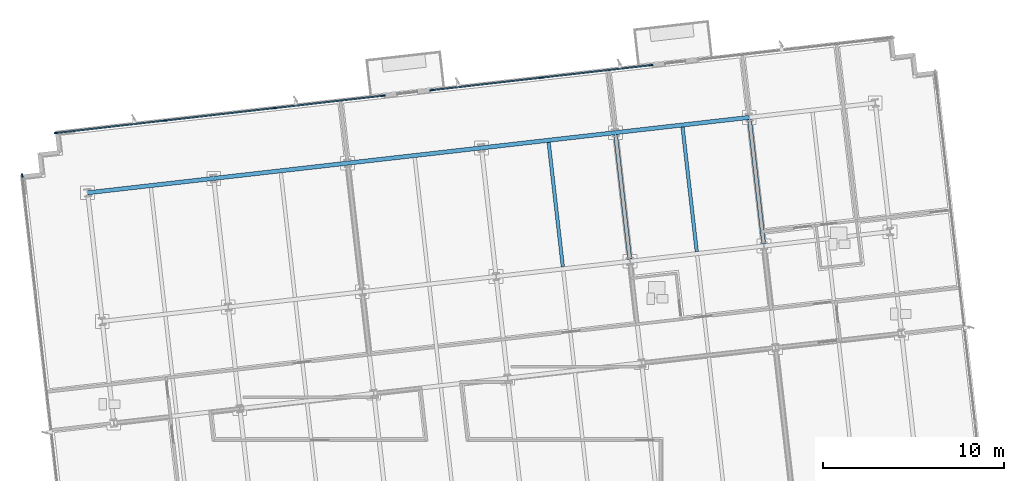
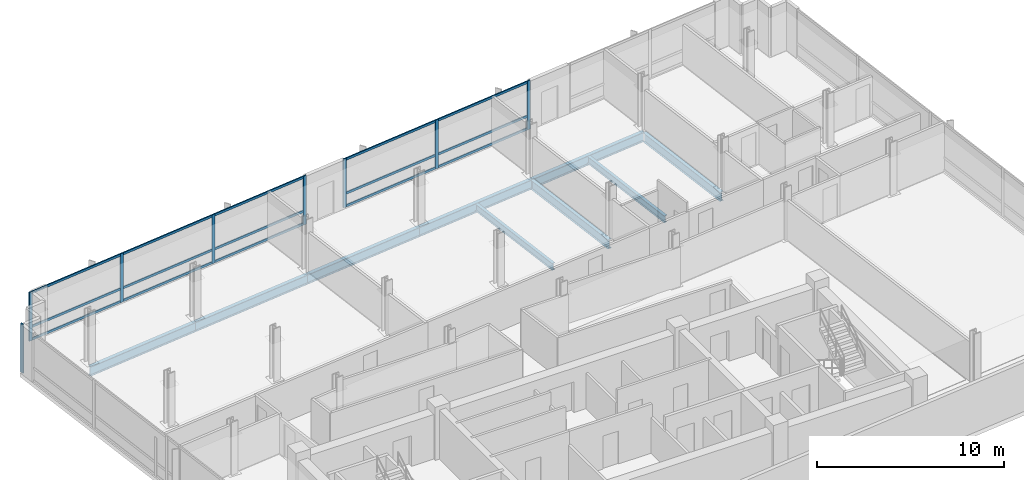
# One storey, part 5 of 16: 23 members, 9 beams, 3 elements without a shape of their own.
"""IFC4 building model written with IfcOpenShell, lengths in metres."""

from ifc_helpers import new_model, si_unit, direction, frame, origin, origin_2d, place, context, subcontext, project, spatial, rectangle, i_section, extrude, material, material_profile, profile_set, type_object, element, aggregate, save


model = new_model("IFC4")

# Units and contexts
model_context = context("Model", 3, precision=1e-05, world=origin(), true_north=direction((0.0, 1.0)))
body_context = subcontext(model_context, "Body", "Model", "MODEL_VIEW")
ifc_project = project(units=[si_unit("LENGTHUNIT", "METRE"), si_unit("AREAUNIT", "SQUARE_METRE"), si_unit("VOLUMEUNIT", "CUBIC_METRE"), si_unit("PLANEANGLEUNIT", "RADIAN"), si_unit("MASSUNIT", "GRAM", prefix="KILO")], contexts=[model_context])

# Site, building, storey
site_placement = place(None, origin())
site = spatial("IfcSite", under=ifc_project, at=site_placement, CompositionType="ELEMENT")
building_placement = place(site_placement, origin())
building = spatial("IfcBuilding", under=site, at=building_placement, Name="Solmavex Isthmus Hotel", CompositionType="ELEMENT")
storey_placement = place(building_placement, frame((0.0, 0.0, 233.10009765625)))
storey = spatial("IfcBuildingStorey", under=building, at=storey_placement, Name="L63", CompositionType="ELEMENT", Elevation=233.10009765625)

# Beams
ifc_material_1 = material(Name="Steel ASTM A992 Grade 50", Category="steel")
ifc_material_profile_1 = material_profile(ifc_material_1, i_section(OverallWidth=0.1904296875, OverallDepth=0.456787109375, WebThickness=0.009033203125, FlangeThickness=0.014404296875, FilletRadius=0.0126953125, at=origin_2d()), Name="W18X50")
ifc_profile_set_1 = profile_set([ifc_material_profile_1], Name="Steel ASTM A992 Grade 50")
beam_type_1 = type_object("IfcBeamType", Name="BM-BJ-W18X50", PredefinedType="JOIST", material=ifc_profile_set_1)
for number, where, z_axis, x_axis, name in (
    (1, (7.009033203125, 10.1328125, -0.488525390625), (-0.113202453846, 0.993571942258, 0.0), (-0.993571942258, -0.113202453846, 0.0), "Secondary Floor Joist L63-J14"),
    (2, (14.4072265625, 10.975830078125, -0.488525390625), (-0.113202453846, 0.993571942258, 0.0), (-0.993571942258, -0.113202453846, 0.0), "Secondary Floor Joist L63-J18"),
):
    element("IfcBeam", number, at=place(storey_placement, frame(where, z_axis=z_axis, x_axis=x_axis)), inside=storey, type_object=beam_type_1, Name=name, PredefinedType="JOIST", context=body_context, shape_type="SweptSolid", body=[
        extrude(i_section(OverallWidth=0.1904296875, OverallDepth=0.456787109375, WebThickness=0.009033203125, FlangeThickness=0.014404296875, FilletRadius=0.0126953125, at=origin_2d()), origin(), (0.0, 0.0, 1.0), 6.9228515625),
    ])
ifc_material_profile_2 = material_profile(ifc_material_1, i_section(OverallWidth=0.227783203125, OverallDepth=0.602783203125, WebThickness=0.010498046875, FlangeThickness=0.014892578125, FilletRadius=0.01513671875, at=origin_2d()), Name="W24X68")
ifc_profile_set_2 = profile_set([ifc_material_profile_2], Name="Steel ASTM A992 Grade 50")
beam_type_2 = type_object("IfcBeamType", Name="BM-BM-W24X68", PredefinedType="BEAM", material=ifc_profile_set_2)
for number, where, z_axis, x_axis, name in (
    (3, (10.708251953125, 10.55419921875, -0.5615234375), (-0.113202453846, 0.993571942258, 0.0), (-0.993571942258, -0.113202453846, 0.0), "Floor Beam L63-VG39"),
    (4, (18.106201171875, 11.397216796875, -0.5615234375), (-0.113202453846, 0.993571942258, 0.0), (-0.993571942258, -0.113202453846, 0.0), "Floor Beam L63-VG42"),
):
    element("IfcBeam", number, at=place(storey_placement, frame(where, z_axis=z_axis, x_axis=x_axis)), inside=storey, type_object=beam_type_2, Name=name, PredefinedType="BEAM", context=body_context, shape_type="SweptSolid", body=[
        extrude(i_section(OverallWidth=0.227783203125, OverallDepth=0.602783203125, WebThickness=0.010498046875, FlangeThickness=0.014892578125, FilletRadius=0.01513671875, at=origin_2d()), origin(), (0.0, 0.0, 1.0), 6.9228515625),
    ])
ifc_material_profile_3 = material_profile(ifc_material_1, i_section(OverallWidth=0.230224609375, OverallDepth=0.617431640625, WebThickness=0.01318359375, FlangeThickness=0.022216796875, FilletRadius=0.01513671875, at=origin_2d()), Name="W24X94")
ifc_profile_set_3 = profile_set([ifc_material_profile_3], Name="Steel ASTM A992 Grade 50")
beam_type_3 = type_object("IfcBeamType", Name="BM-SP-W24X94", PredefinedType="SPANDREL", material=ifc_profile_set_3)
beam_1_placement = place(storey_placement, frame((-19.245849609375, 14.22509765625, -0.56884765625), z_axis=(0.99357359356, 0.113187959519, 0.0), x_axis=(-0.113187959519, 0.99357359356, 0.0)))
element("IfcBeam", 5, at=beam_1_placement, inside=storey, type_object=beam_type_3, Name="Floor Girder L63-UG18", PredefinedType="SPANDREL", context=body_context, shape_type="SweptSolid", body=[
    extrude(i_section(OverallWidth=0.230224609375, OverallDepth=0.617431640625, WebThickness=0.01318359375, FlangeThickness=0.022216796875, FilletRadius=0.01513671875, at=origin_2d()), origin(), (0.0, 0.0, 1.0), 7.0078125),
])
beam_2_placement = place(storey_placement, frame((-12.282958984375, 15.018310546875, -0.56884765625), z_axis=(0.9935703463, 0.113216460607, 0.0), x_axis=(-0.113216460607, 0.9935703463, 0.0)))
element("IfcBeam", 6, at=beam_2_placement, inside=storey, type_object=beam_type_3, Name="Floor Girder L63-UG19", PredefinedType="SPANDREL", context=body_context, shape_type="SweptSolid", body=[
    extrude(i_section(OverallWidth=0.230224609375, OverallDepth=0.617431640625, WebThickness=0.01318359375, FlangeThickness=0.022216796875, FilletRadius=0.01513671875, at=origin_2d()), origin(), (0.0, 0.0, 1.0), 7.446044921875),
])
beam_3_placement = place(storey_placement, frame((-4.884765625, 15.861328125, -0.56884765625), z_axis=(0.993573613989, 0.113187780196, 0.0), x_axis=(-0.113187780196, 0.993573613989, 0.0)))
element("IfcBeam", 7, at=beam_3_placement, inside=storey, type_object=beam_type_3, Name="Floor Girder L63-UG20", PredefinedType="SPANDREL", context=body_context, shape_type="SweptSolid", body=[
    extrude(i_section(OverallWidth=0.230224609375, OverallDepth=0.617431640625, WebThickness=0.01318359375, FlangeThickness=0.022216796875, FilletRadius=0.01513671875, at=origin_2d()), origin(), (0.0, 0.0, 1.0), 7.44580078125),
])
for number, where, z_axis, x_axis, name in (
    (8, (2.51318359375, 16.7041015625, -0.56884765625), (0.9935703463, 0.113216460607, 0.0), (-0.113216460607, 0.9935703463, 0.0), "Floor Girder L63-UG21"),
    (9, (9.911376953125, 17.547119140625, -0.56884765625), (0.9935703463, 0.113216460607, 0.0), (-0.113216460607, 0.9935703463, 0.0), "Floor Girder L63-UG22"),
):
    element("IfcBeam", number, at=place(storey_placement, frame(where, z_axis=z_axis, x_axis=x_axis)), inside=storey, type_object=beam_type_3, Name=name, PredefinedType="SPANDREL", context=body_context, shape_type="SweptSolid", body=[
        extrude(i_section(OverallWidth=0.230224609375, OverallDepth=0.617431640625, WebThickness=0.01318359375, FlangeThickness=0.022216796875, FilletRadius=0.01513671875, at=origin_2d()), origin(), (0.0, 0.0, 1.0), 7.446044921875),
    ])

# Curtain wall, members
ifc_material_2 = material(Name="Aluminium alloy 6063-T6", Category="aluminium")
curtain_wall_type = type_object("IfcCurtainWallType", Name="CW-SYS-04", PredefinedType="NOTDEFINED", material=ifc_material_2)
curtain_wall_1_placement = place(storey_placement, origin())
curtain_wall_1 = element("IfcCurtainWall", 10, at=curtain_wall_1_placement, inside=storey, type_object=curtain_wall_type, Name="Stick Curtain Wall CWL-L63-N1", PredefinedType="NOTDEFINED")
ifc_material_profile_4 = material_profile(ifc_material_2, rectangle(XDim=0.074951171875, YDim=0.199951171875, at=origin_2d()), Name="CWM-75X200")
ifc_profile_set_4 = profile_set([ifc_material_profile_4], Name="Aluminium alloy 6063-T6")
member_type_1 = type_object("IfcMemberType", Name="CW-SYS-04-MUL", PredefinedType="MULLION", material=ifc_profile_set_4)
member_1_placement = place(storey_placement, frame((-20.99365234375, 17.528564453125, 0.0), z_axis=(0.0, 0.0, 1.0), x_axis=(-0.113202953513, 0.993571885329, 0.0)))
member_1 = element("IfcMember", 11, at=member_1_placement, type_object=member_type_1, Name="CW-04 mullion 1", PredefinedType="MULLION", context=body_context, shape_type="SweptSolid", body=[
    extrude(rectangle(XDim=0.074951171875, YDim=0.199951171875, at=origin_2d()), origin(), (0.0, 0.0, 1.0), 3.18994140625),
])
member_2_placement = place(storey_placement, frame((-14.977783203125, 18.2138671875, 0.0), z_axis=(0.0, 0.0, 1.0), x_axis=(-0.113202953513, 0.993571885329, 0.0)))
member_2 = element("IfcMember", 12, at=member_2_placement, type_object=member_type_1, Name="CW-04 mullion 2", PredefinedType="MULLION", context=body_context, shape_type="SweptSolid", body=[
    extrude(rectangle(XDim=0.074951171875, YDim=0.199951171875, at=origin_2d()), origin(), (0.0, 0.0, 1.0), 3.18994140625),
])
member_3_placement = place(storey_placement, frame((-8.924560546875, 18.903564453125, 0.0), z_axis=(0.0, 0.0, 1.0), x_axis=(-0.113202953513, 0.993571885329, 0.0)))
member_3 = element("IfcMember", 13, at=member_3_placement, type_object=member_type_1, Name="CW-04 mullion 3", PredefinedType="MULLION", context=body_context, shape_type="SweptSolid", body=[
    extrude(rectangle(XDim=0.074951171875, YDim=0.199951171875, at=origin_2d()), origin(), (0.0, 0.0, 1.0), 3.18994140625),
])
member_4_placement = place(storey_placement, frame((-2.90869140625, 19.5888671875, 0.0), z_axis=(0.0, 0.0, 1.0), x_axis=(-0.113202953513, 0.993571885329, 0.0)))
member_4 = element("IfcMember", 14, at=member_4_placement, type_object=member_type_1, Name="CW-04 mullion 4", PredefinedType="MULLION", context=body_context, shape_type="SweptSolid", body=[
    extrude(rectangle(XDim=0.074951171875, YDim=0.199951171875, at=origin_2d()), origin(), (0.0, 0.0, 1.0), 3.18994140625),
])

curtain_wall_2_placement = place(storey_placement, origin())
curtain_wall_2 = element("IfcCurtainWall", 15, at=curtain_wall_2_placement, inside=storey, type_object=curtain_wall_type, Name="Stick Curtain Wall CWL-L63-N2", PredefinedType="NOTDEFINED")
member_5_placement = place(storey_placement, frame((-0.250732421875, 19.891845703125, 0.0), z_axis=(0.0, 0.0, 1.0), x_axis=(-0.113202856801, 0.993571896348, 0.0)))
member_5 = element("IfcMember", 16, at=member_5_placement, type_object=member_type_1, Name="CW-04 mullion 1", PredefinedType="MULLION", context=body_context, shape_type="SweptSolid", body=[
    extrude(rectangle(XDim=0.074951171875, YDim=0.199951171875, at=origin_2d()), origin(), (0.0, 0.0, 1.0), 3.18994140625),
])
member_6_placement = place(storey_placement, frame((5.818359375, 20.583251953125, 0.0), z_axis=(0.0, 0.0, 1.0), x_axis=(-0.113202856801, 0.993571896348, 0.0)))
member_6 = element("IfcMember", 17, at=member_6_placement, type_object=member_type_1, Name="CW-04 mullion 2", PredefinedType="MULLION", context=body_context, shape_type="SweptSolid", body=[
    extrude(rectangle(XDim=0.074951171875, YDim=0.199951171875, at=origin_2d()), origin(), (0.0, 0.0, 1.0), 3.18994140625),
])
member_7_placement = place(storey_placement, frame((11.8876953125, 21.27490234375, 0.0), z_axis=(0.0, 0.0, 1.0), x_axis=(-0.113202856801, 0.993571896348, 0.0)))
member_7 = element("IfcMember", 18, at=member_7_placement, type_object=member_type_1, Name="CW-04 mullion 3", PredefinedType="MULLION", context=body_context, shape_type="SweptSolid", body=[
    extrude(rectangle(XDim=0.074951171875, YDim=0.199951171875, at=origin_2d()), origin(), (0.0, 0.0, 1.0), 3.18994140625),
])

# Curtain wall, member
curtain_wall_3_placement = place(storey_placement, origin())
curtain_wall_3 = element("IfcCurtainWall", 19, at=curtain_wall_3_placement, inside=storey, type_object=curtain_wall_type, Name="Stick Curtain Wall CWL-L63-W1", PredefinedType="NOTDEFINED")
member_8_placement = place(storey_placement, frame((-22.85791015625, 15.184814453125, 0.0), z_axis=(0.0, 0.0, 1.0), x_axis=(-0.993571836648, -0.11320338078, 0.0)))
member_8 = element("IfcMember", 20, at=member_8_placement, type_object=member_type_1, Name="CW-04 mullion 6", PredefinedType="MULLION", context=body_context, shape_type="SweptSolid", body=[
    extrude(rectangle(XDim=0.074951171875, YDim=0.199951171875, at=origin_2d()), origin(), (0.0, 0.0, 1.0), 3.18994140625),
])
aggregate(curtain_wall_3, [member_8])

# Member
ifc_material_profile_5 = material_profile(ifc_material_2, rectangle(XDim=0.074951171875, YDim=0.14990234375, at=origin_2d()), Name="CWT-75X150")
ifc_profile_set_5 = profile_set([ifc_material_profile_5], Name="Aluminium alloy 6063-T6")
member_type_2 = type_object("IfcMemberType", Name="CW-SYS-04-TRN", PredefinedType="USERDEFINED", material=ifc_profile_set_5)
member_9_placement = place(storey_placement, frame((-20.956298828125, 17.53271484375, 0.074951171875), z_axis=(0.993570647741, 0.113213815179, 0.0), x_axis=(-0.113213815179, 0.993570647741, 0.0)))
member_9 = element("IfcMember", 21, at=member_9_placement, type_object=member_type_2, Name="CW-04 transom 1.1", ObjectType="TRANSOM", PredefinedType="USERDEFINED", context=body_context, shape_type="SweptSolid", body=[
    extrude(rectangle(XDim=0.074951171875, YDim=0.14990234375, at=origin_2d()), origin(), (0.0, 0.0, 1.0), 5.979736328125),
])

member_10_placement = place(storey_placement, frame((-20.956298828125, 17.53271484375, 0.89990234375), z_axis=(0.993570647741, 0.113213815179, 0.0), x_axis=(-0.113213815179, 0.993570647741, 0.0)))
member_10 = element("IfcMember", 22, at=member_10_placement, type_object=member_type_2, Name="CW-04 transom 1.2", ObjectType="TRANSOM", PredefinedType="USERDEFINED", context=body_context, shape_type="SweptSolid", body=[
    extrude(rectangle(XDim=0.074951171875, YDim=0.14990234375, at=origin_2d()), origin(), (0.0, 0.0, 1.0), 5.979736328125),
])

member_11_placement = place(storey_placement, frame((-20.956298828125, 17.53271484375, 3.114990234375), z_axis=(0.993570647741, 0.113213815179, 0.0), x_axis=(-0.113213815179, 0.993570647741, 0.0)))
member_11 = element("IfcMember", 23, at=member_11_placement, type_object=member_type_2, Name="CW-04 transom 1.3", ObjectType="TRANSOM", PredefinedType="USERDEFINED", context=body_context, shape_type="SweptSolid", body=[
    extrude(rectangle(XDim=0.074951171875, YDim=0.14990234375, at=origin_2d()), origin(), (0.0, 0.0, 1.0), 5.979736328125),
])

member_12_placement = place(storey_placement, frame((-14.9404296875, 18.218017578125, 0.074951171875), z_axis=(0.993567543212, 0.113241057379, 0.0), x_axis=(-0.113241057379, 0.993567543212, 0.0)))
member_12 = element("IfcMember", 24, at=member_12_placement, type_object=member_type_2, Name="CW-04 transom 2.1", ObjectType="TRANSOM", PredefinedType="USERDEFINED", context=body_context, shape_type="SweptSolid", body=[
    extrude(rectangle(XDim=0.074951171875, YDim=0.14990234375, at=origin_2d()), origin(), (0.0, 0.0, 1.0), 6.017333984375),
])

member_13_placement = place(storey_placement, frame((-14.9404296875, 18.218017578125, 0.89990234375), z_axis=(0.993567543212, 0.113241057379, 0.0), x_axis=(-0.113241057379, 0.993567543212, 0.0)))
member_13 = element("IfcMember", 25, at=member_13_placement, type_object=member_type_2, Name="CW-04 transom 2.2", ObjectType="TRANSOM", PredefinedType="USERDEFINED", context=body_context, shape_type="SweptSolid", body=[
    extrude(rectangle(XDim=0.074951171875, YDim=0.14990234375, at=origin_2d()), origin(), (0.0, 0.0, 1.0), 6.017333984375),
])

member_14_placement = place(storey_placement, frame((-14.9404296875, 18.218017578125, 3.114990234375), z_axis=(0.993567543212, 0.113241057379, 0.0), x_axis=(-0.113241057379, 0.993567543212, 0.0)))
member_14 = element("IfcMember", 26, at=member_14_placement, type_object=member_type_2, Name="CW-04 transom 2.3", ObjectType="TRANSOM", PredefinedType="USERDEFINED", context=body_context, shape_type="SweptSolid", body=[
    extrude(rectangle(XDim=0.074951171875, YDim=0.14990234375, at=origin_2d()), origin(), (0.0, 0.0, 1.0), 6.017333984375),
])

member_15_placement = place(storey_placement, frame((-8.88720703125, 18.90771484375, 0.074951171875), z_axis=(0.993570647741, 0.113213815179, 0.0), x_axis=(-0.113213815179, 0.993570647741, 0.0)))
member_15 = element("IfcMember", 27, at=member_15_placement, type_object=member_type_2, Name="CW-04 transom 3.1", ObjectType="TRANSOM", PredefinedType="USERDEFINED", context=body_context, shape_type="SweptSolid", body=[
    extrude(rectangle(XDim=0.074951171875, YDim=0.14990234375, at=origin_2d()), origin(), (0.0, 0.0, 1.0), 5.979736328125),
])

member_16_placement = place(storey_placement, frame((-8.88720703125, 18.90771484375, 0.89990234375), z_axis=(0.993570647741, 0.113213815179, 0.0), x_axis=(-0.113213815179, 0.993570647741, 0.0)))
member_16 = element("IfcMember", 28, at=member_16_placement, type_object=member_type_2, Name="CW-04 transom 3.2", ObjectType="TRANSOM", PredefinedType="USERDEFINED", context=body_context, shape_type="SweptSolid", body=[
    extrude(rectangle(XDim=0.074951171875, YDim=0.14990234375, at=origin_2d()), origin(), (0.0, 0.0, 1.0), 5.979736328125),
])

member_17_placement = place(storey_placement, frame((-8.88720703125, 18.90771484375, 3.114990234375), z_axis=(0.993570647741, 0.113213815179, 0.0), x_axis=(-0.113213815179, 0.993570647741, 0.0)))
member_17 = element("IfcMember", 29, at=member_17_placement, type_object=member_type_2, Name="CW-04 transom 3.3", ObjectType="TRANSOM", PredefinedType="USERDEFINED", context=body_context, shape_type="SweptSolid", body=[
    extrude(rectangle(XDim=0.074951171875, YDim=0.14990234375, at=origin_2d()), origin(), (0.0, 0.0, 1.0), 5.979736328125),
])

aggregate(curtain_wall_1, [member_1, member_2, member_3, member_4, member_9, member_10, member_11, member_12, member_13, member_14, member_15, member_16, member_17])

member_18_placement = place(storey_placement, frame((-0.213623046875, 19.89599609375, 0.074951171875), z_axis=(0.993570439577, 0.113215642025, 0.0), x_axis=(-0.113215642025, 0.993570439577, 0.0)))
member_18 = element("IfcMember", 30, at=member_18_placement, type_object=member_type_2, Name="CW-04 transom 1.1", ObjectType="TRANSOM", PredefinedType="USERDEFINED", context=body_context, shape_type="SweptSolid", body=[
    extrude(rectangle(XDim=0.074951171875, YDim=0.14990234375, at=origin_2d()), origin(), (0.0, 0.0, 1.0), 6.03369140625),
])

member_19_placement = place(storey_placement, frame((-0.213623046875, 19.89599609375, 0.89990234375), z_axis=(0.993570439577, 0.113215642025, 0.0), x_axis=(-0.113215642025, 0.993570439577, 0.0)))
member_19 = element("IfcMember", 31, at=member_19_placement, type_object=member_type_2, Name="CW-04 transom 1.2", ObjectType="TRANSOM", PredefinedType="USERDEFINED", context=body_context, shape_type="SweptSolid", body=[
    extrude(rectangle(XDim=0.074951171875, YDim=0.14990234375, at=origin_2d()), origin(), (0.0, 0.0, 1.0), 6.03369140625),
])

member_20_placement = place(storey_placement, frame((-0.213623046875, 19.89599609375, 3.114990234375), z_axis=(0.993570439577, 0.113215642025, 0.0), x_axis=(-0.113215642025, 0.993570439577, 0.0)))
member_20 = element("IfcMember", 32, at=member_20_placement, type_object=member_type_2, Name="CW-04 transom 1.3", ObjectType="TRANSOM", PredefinedType="USERDEFINED", context=body_context, shape_type="SweptSolid", body=[
    extrude(rectangle(XDim=0.074951171875, YDim=0.14990234375, at=origin_2d()), origin(), (0.0, 0.0, 1.0), 6.03369140625),
])

member_21_placement = place(storey_placement, frame((5.855712890625, 20.587646484375, 0.074951171875), z_axis=(0.993574472077, 0.113180247552, 0.0), x_axis=(-0.113180247552, 0.993574472077, 0.0)))
member_21 = element("IfcMember", 33, at=member_21_placement, type_object=member_type_2, Name="CW-04 transom 2.1", ObjectType="TRANSOM", PredefinedType="USERDEFINED", context=body_context, shape_type="SweptSolid", body=[
    extrude(rectangle(XDim=0.074951171875, YDim=0.14990234375, at=origin_2d()), origin(), (0.0, 0.0, 1.0), 6.033447265625),
])

member_22_placement = place(storey_placement, frame((5.855712890625, 20.587646484375, 0.89990234375), z_axis=(0.993574472077, 0.113180247552, 0.0), x_axis=(-0.113180247552, 0.993574472077, 0.0)))
member_22 = element("IfcMember", 34, at=member_22_placement, type_object=member_type_2, Name="CW-04 transom 2.2", ObjectType="TRANSOM", PredefinedType="USERDEFINED", context=body_context, shape_type="SweptSolid", body=[
    extrude(rectangle(XDim=0.074951171875, YDim=0.14990234375, at=origin_2d()), origin(), (0.0, 0.0, 1.0), 6.033447265625),
])

member_23_placement = place(storey_placement, frame((5.855712890625, 20.587646484375, 3.114990234375), z_axis=(0.993574472077, 0.113180247552, 0.0), x_axis=(-0.113180247552, 0.993574472077, 0.0)))
member_23 = element("IfcMember", 35, at=member_23_placement, type_object=member_type_2, Name="CW-04 transom 2.3", ObjectType="TRANSOM", PredefinedType="USERDEFINED", context=body_context, shape_type="SweptSolid", body=[
    extrude(rectangle(XDim=0.074951171875, YDim=0.14990234375, at=origin_2d()), origin(), (0.0, 0.0, 1.0), 6.033447265625),
])

aggregate(curtain_wall_2, [member_5, member_6, member_7, member_18, member_19, member_20, member_21, member_22, member_23])

save(model, "model.ifc")
